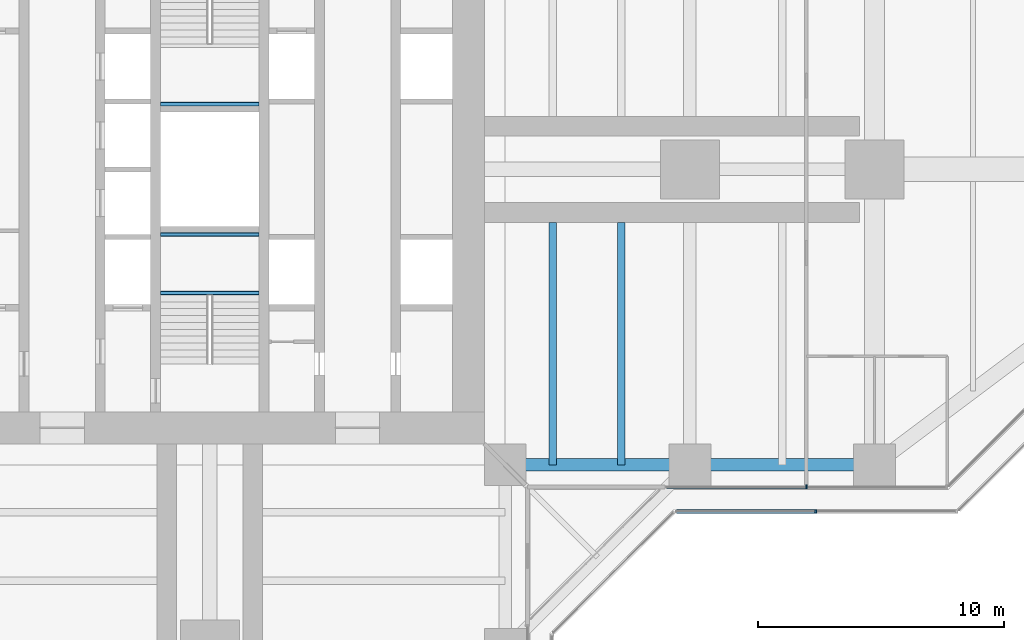
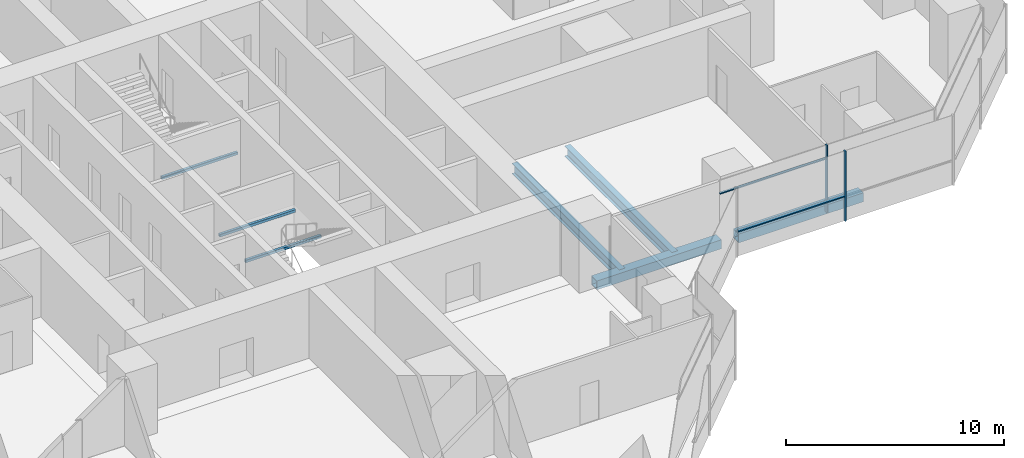
# One storey, part 5 of 19: 7 beams, 4 members, 2 elements without a shape of their own.
"""IFC4 building model written with IfcOpenShell, lengths in metres."""

from ifc_helpers import new_model, si_unit, direction, frame, origin, origin_2d, place, context, subcontext, project, spatial, rectangle, hollow_rectangle, i_section, extrude, material, material_profile, profile_set, type_object, element, aggregate, save


model = new_model("IFC4")

# Units and contexts
model_context = context("Model", 3, precision=1e-05, world=origin(), true_north=direction((0.0, 1.0)))
body_context = subcontext(model_context, "Body", "Model", "MODEL_VIEW")
ifc_project = project(units=[si_unit("LENGTHUNIT", "METRE"), si_unit("AREAUNIT", "SQUARE_METRE"), si_unit("VOLUMEUNIT", "CUBIC_METRE"), si_unit("PLANEANGLEUNIT", "RADIAN"), si_unit("MASSUNIT", "GRAM", prefix="KILO")], contexts=[model_context])

# Site, building, storey
site_placement = place(None, origin())
site = spatial("IfcSite", under=ifc_project, at=site_placement, CompositionType="ELEMENT")
building_placement = place(site_placement, origin())
building = spatial("IfcBuilding", under=site, at=building_placement, Name="Mizan Broadcast Tower", CompositionType="ELEMENT")
storey_placement = place(building_placement, frame((0.0, 0.0, 128.10009765625)))
storey = spatial("IfcBuildingStorey", under=building, at=storey_placement, Name="L28", CompositionType="ELEMENT", Elevation=128.10009765625)

# Beams
ifc_material_1 = material(Name="Steel S355", Category="steel")
ifc_material_profile_1 = material_profile(ifc_material_1, hollow_rectangle(XDim=0.5, YDim=0.5, WallThickness=0.030029296875, at=origin_2d()), Name="BOX 500x500x30")
ifc_profile_set_1 = profile_set([ifc_material_profile_1], Name="Steel S355")
beam_type_1 = type_object("IfcBeamType", Name="EDGE BEAM BOX 500x500x30", PredefinedType="SPANDREL", material=ifc_profile_set_1)
for number, where, z_axis, x_axis, name in (
    (1, (12.449951171875, -12.0, -0.380126953125), (1.0, 0.0, 0.0), (0.0, 1.0, 0.0), "Edge beam BOX 500x500x30 L28 east arm"),
    (2, (19.949951171875, -12.0, -0.380126953125), (1.0, 0.0, 0.0), (0.0, 1.0, 0.0), "Edge beam BOX 500x500x30 L28 east arm"),
):
    element("IfcBeam", number, at=place(storey_placement, frame(where, z_axis=z_axis, x_axis=x_axis)), inside=storey, type_object=beam_type_1, Name=name, PredefinedType="SPANDREL", context=body_context, shape_type="SweptSolid", body=[
        extrude(hollow_rectangle(XDim=0.5, YDim=0.5, WallThickness=0.030029296875, at=origin_2d()), origin(), (0.0, 0.0, 1.0), 6.60009765625),
    ])

# Curtain wall, members
ifc_material_2 = material(Name="Aluminium framed glazing", Category="aluminium")
curtain_wall_type_1 = type_object("IfcCurtainWallType", Name="INNER SKIN MID ZONE", PredefinedType="USERDEFINED", material=ifc_material_2)
curtain_wall_1_placement = place(storey_placement, origin())
curtain_wall_1 = element("IfcCurtainWall", 3, at=curtain_wall_1_placement, inside=storey, type_object=curtain_wall_type_1, Name="Inner skin mid zone L28 E side", ObjectType="INNER SKIN MID ZONE", PredefinedType="USERDEFINED")
ifc_material_3 = material(Name="Aluminium, pale anodised", Category="aluminium")
ifc_material_profile_2 = material_profile(ifc_material_3, rectangle(XDim=0.159912109375, YDim=0.06005859375, at=origin_2d()), Name="MULLION 160x60")
ifc_profile_set_2 = profile_set([ifc_material_profile_2], Name="Aluminium, pale anodised")
member_type_1 = type_object("IfcMemberType", Name="INNER SKIN MULLION 60x160", PredefinedType="MULLION", material=ifc_profile_set_2)
member_1_placement = place(storey_placement, frame((24.229248046875, -12.89990234375, 0.0), z_axis=(0.0, 0.0, 1.0), x_axis=(0.0, 1.0, 0.0)))
member_1 = element("IfcMember", 4, at=member_1_placement, type_object=member_type_1, Name="Inner skin mid zone L28 E side mullion 2", PredefinedType="MULLION", context=body_context, shape_type="SweptSolid", body=[
    extrude(rectangle(XDim=0.159912109375, YDim=0.06005859375, at=origin_2d()), origin(), (0.0, 0.0, 1.0), 3.77001953125),
])
ifc_material_4 = material(Name="Aluminium, pale anodised", Category="aluminium")
ifc_material_profile_3 = material_profile(ifc_material_4, rectangle(XDim=0.1201171875, YDim=0.06005859375, at=origin_2d()), Name="TRANSOM 120x60")
ifc_profile_set_3 = profile_set([ifc_material_profile_3], Name="Aluminium, pale anodised")
member_type_2 = type_object("IfcMemberType", Name="INNER SKIN TRANSOM 60x120", PredefinedType="USERDEFINED", material=ifc_profile_set_3)
member_2_placement = place(storey_placement, frame((18.56005859375, -12.89990234375, 3.02978515625), z_axis=(1.0, 0.0, 0.0), x_axis=(0.0, 1.0, 0.0)))
member_2 = element("IfcMember", 5, at=member_2_placement, type_object=member_type_2, Name="Inner skin mid zone L28 E side transom 1.1", ObjectType="TRANSOM", PredefinedType="USERDEFINED", context=body_context, shape_type="SweptSolid", body=[
    extrude(rectangle(XDim=0.1201171875, YDim=0.06005859375, at=origin_2d()), origin(), (0.0, 0.0, 1.0), 5.63916015625),
])
aggregate(curtain_wall_1, [member_1, member_2])

# Beams
ifc_material_5 = material(Name="Steel S355", Category="steel")
ifc_material_profile_4 = material_profile(ifc_material_5, hollow_rectangle(XDim=0.14990234375, YDim=0.14990234375, WallThickness=0.008056640625, InnerFilletRadius=0.008056640625, OuterFilletRadius=0.011962890625, at=origin_2d()), Name="SHS 150x150x8")
ifc_profile_set_4 = profile_set([ifc_material_profile_4], Name="Steel S355")
beam_type_2 = type_object("IfcBeamType", Name="LANDING TRIMMER SHS 150x150x8", PredefinedType="BEAM", material=ifc_profile_set_4)
for number, where, z_axis, x_axis, name in (
    (6, (-2.0, -5.02490234375, 1.6748046875), (1.0, 0.0, 0.0), (0.0, 1.0, 0.0), "Stair A landing trimmer L28"),
    (7, (-2.0, -2.64990234375, 1.6748046875), (1.0, 0.0, 0.0), (0.0, 1.0, 0.0), "Stair A landing trimmer L28"),
    (8, (2.0, 2.64990234375, 1.6748046875), (-1.0, 0.0, 0.0), (0.0, -1.0, 0.0), "Stair B landing trimmer L28"),
):
    element("IfcBeam", number, at=place(storey_placement, frame(where, z_axis=z_axis, x_axis=x_axis)), inside=storey, type_object=beam_type_2, Name=name, PredefinedType="BEAM", context=body_context, shape_type="SweptSolid", body=[
        extrude(hollow_rectangle(XDim=0.14990234375, YDim=0.14990234375, WallThickness=0.008056640625, InnerFilletRadius=0.008056640625, OuterFilletRadius=0.011962890625, at=origin_2d()), origin(), (0.0, 0.0, 1.0), 4.0),
    ])

# Curtain wall, members
ifc_material_6 = material(Name="Aluminium framed glazing", Category="aluminium")
curtain_wall_type_2 = type_object("IfcCurtainWallType", Name="OUTER SKIN", PredefinedType="USERDEFINED", material=ifc_material_6)
curtain_wall_2_placement = place(storey_placement, origin())
curtain_wall_2 = element("IfcCurtainWall", 9, at=curtain_wall_2_placement, inside=storey, type_object=curtain_wall_type_2, Name="Outer skin L28 E side", ObjectType="OUTER SKIN", PredefinedType="USERDEFINED")
ifc_material_7 = material(Name="Aluminium, pale anodised", Category="aluminium")
ifc_material_profile_5 = material_profile(ifc_material_7, rectangle(XDim=0.159912109375, YDim=0.080078125, at=origin_2d()), Name="MULLION 160x80")
ifc_profile_set_5 = profile_set([ifc_material_profile_5], Name="Aluminium, pale anodised")
member_type_3 = type_object("IfcMemberType", Name="OUTER SKIN MULLION 80x160", PredefinedType="MULLION", material=ifc_profile_set_5)
member_3_placement = place(storey_placement, frame((24.622802734375, -13.89990234375, 0.0), z_axis=(0.0, 0.0, 1.0), x_axis=(0.0, 1.0, 0.0)))
member_3 = element("IfcMember", 10, at=member_3_placement, type_object=member_type_3, Name="Outer skin L28 E side mullion 2", PredefinedType="MULLION", context=body_context, shape_type="SweptSolid", body=[
    extrude(rectangle(XDim=0.159912109375, YDim=0.080078125, at=origin_2d()), origin(), (0.0, 0.0, 1.0), 3.89990234375),
])
ifc_material_8 = material(Name="Aluminium, pale anodised", Category="aluminium")
ifc_material_profile_6 = material_profile(ifc_material_8, rectangle(XDim=0.159912109375, YDim=0.06005859375, at=origin_2d()), Name="TRANSOM 160x60")
ifc_profile_set_6 = profile_set([ifc_material_profile_6], Name="Aluminium, pale anodised")
member_type_4 = type_object("IfcMemberType", Name="OUTER SKIN TRANSOM 60x160", PredefinedType="USERDEFINED", material=ifc_profile_set_6)
member_4_placement = place(storey_placement, frame((18.952880859375, -13.89990234375, 1.39990234375), z_axis=(1.0, 0.0, 0.0), x_axis=(0.0, 1.0, 0.0)))
member_4 = element("IfcMember", 11, at=member_4_placement, type_object=member_type_4, Name="Outer skin L28 E side transom 1.1", ObjectType="TRANSOM", PredefinedType="USERDEFINED", context=body_context, shape_type="SweptSolid", body=[
    extrude(rectangle(XDim=0.159912109375, YDim=0.06005859375, at=origin_2d()), origin(), (0.0, 0.0, 1.0), 5.6298828125),
])
aggregate(curtain_wall_2, [member_3, member_4])

# Beams
ifc_material_9 = material(Name="Steel S355", Category="steel")
ifc_material_profile_7 = material_profile(ifc_material_9, i_section(OverallWidth=0.300048828125, OverallDepth=0.590087890625, WebThickness=0.012939453125, FlangeThickness=0.02490234375, FilletRadius=0.027099609375, at=origin_2d()), Name="HEA 600")
ifc_profile_set_7 = profile_set([ifc_material_profile_7], Name="Steel S355")
beam_type_3 = type_object("IfcBeamType", Name="SECONDARY BEAM HEA 600", PredefinedType="JOIST", material=ifc_profile_set_7)
for number, where, z_axis, x_axis, name in (
    (12, (13.933349609375, -12.0, -0.425048828125), (0.0, 1.0, 0.0), (-1.0, 0.0, 0.0), "Secondary beam HEA 600 L28 east arm"),
    (13, (16.716552734375, -12.0, -0.425048828125), (0.0, 1.0, 0.0), (-1.0, 0.0, 0.0), "Secondary beam HEA 600 L28 east arm"),
):
    element("IfcBeam", number, at=place(storey_placement, frame(where, z_axis=z_axis, x_axis=x_axis)), inside=storey, type_object=beam_type_3, Name=name, PredefinedType="JOIST", context=body_context, shape_type="SweptSolid", body=[
        extrude(i_section(OverallWidth=0.300048828125, OverallDepth=0.590087890625, WebThickness=0.012939453125, FlangeThickness=0.02490234375, FilletRadius=0.027099609375, at=origin_2d()), origin(), (0.0, 0.0, 1.0), 9.85009765625),
    ])

save(model, "model.ifc")
